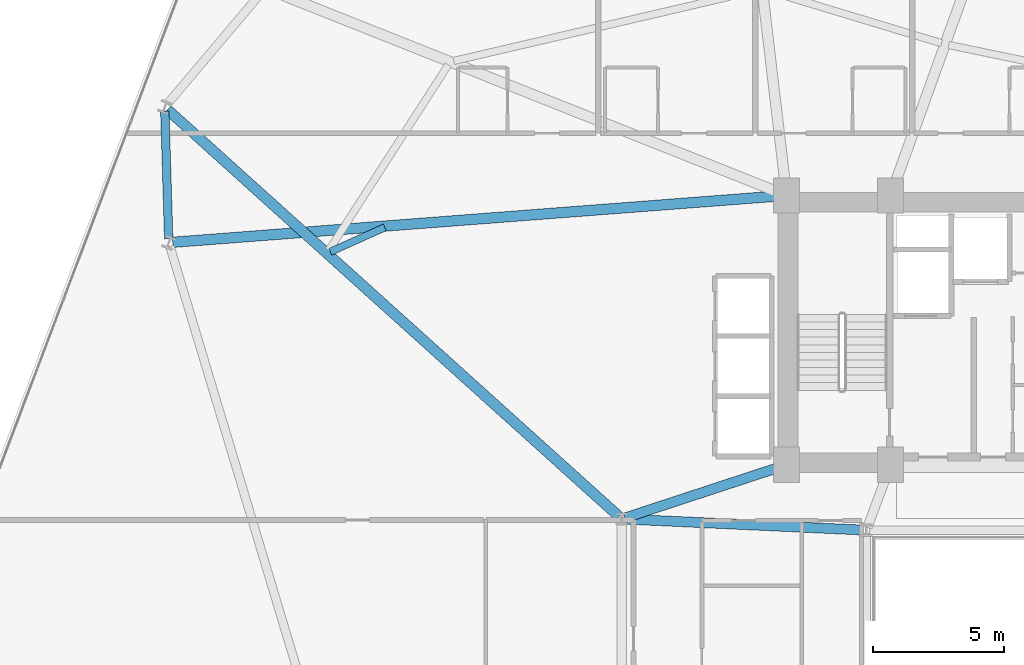
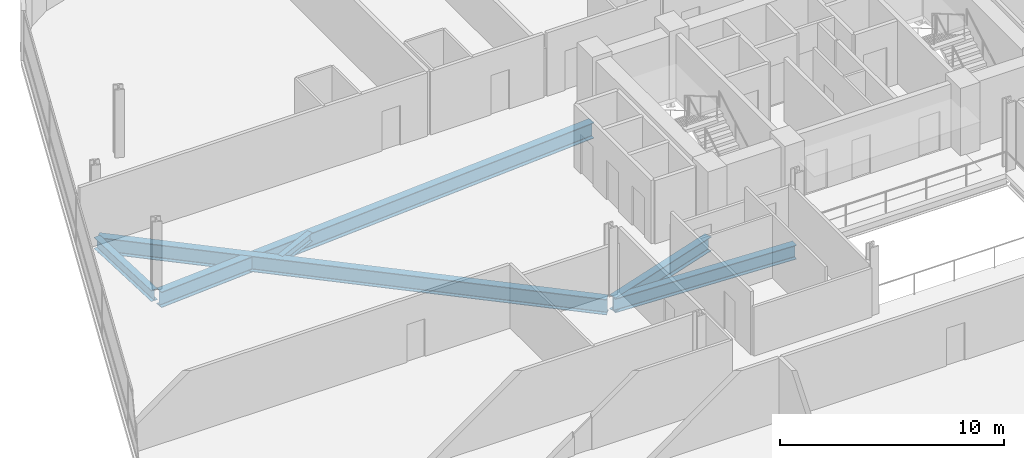
# One storey, part 7 of 25: 6 beams.
"""IFC4 building model written with IfcOpenShell, lengths in metres."""

from ifc_helpers import new_model, si_unit, direction, frame, origin, origin_2d, place, context, subcontext, project, spatial, i_section, extrude, material, material_profile, profile_set, type_object, element, save


model = new_model("IFC4")

# Units and contexts
model_context = context("Model", 3, precision=1e-05, world=origin(), true_north=direction((0.0, 1.0)))
body_context = subcontext(model_context, "Body", "Model", "MODEL_VIEW")
ifc_project = project(units=[si_unit("LENGTHUNIT", "METRE"), si_unit("AREAUNIT", "SQUARE_METRE"), si_unit("VOLUMEUNIT", "CUBIC_METRE"), si_unit("PLANEANGLEUNIT", "RADIAN"), si_unit("MASSUNIT", "GRAM", prefix="KILO")], contexts=[model_context])

# Site, building, storey
site_placement = place(None, origin())
site = spatial("IfcSite", under=ifc_project, at=site_placement, CompositionType="ELEMENT")
building_placement = place(site_placement, origin())
building = spatial("IfcBuilding", under=site, at=building_placement, Name="Varnelok Gate Tower", CompositionType="ELEMENT")
storey_placement = place(building_placement, frame((0.0, 0.0, 91.0)))
storey = spatial("IfcBuildingStorey", under=building, at=storey_placement, Name="L22", CompositionType="ELEMENT", Elevation=91.0)

# Beams
ifc_material = material(Name="Structural Steel ASTM A992 Grade 50", Category="steel")
ifc_material_profile_1 = material_profile(ifc_material, i_section(OverallWidth=0.280029296875, OverallDepth=0.462890625, WebThickness=0.0107421875, FlangeThickness=0.017333984375, FilletRadius=0.014892578125, at=origin_2d()), Name="W18X76")
ifc_profile_set_1 = profile_set([ifc_material_profile_1], Name="Structural Steel ASTM A992 Grade 50")
beam_type_1 = type_object("IfcBeamType", Name="BM-JST-W18X76", PredefinedType="JOIST", material=ifc_profile_set_1)
beam_1_placement = place(storey_placement, frame((13.25537109375, 36.894287109375, -0.4814453125), z_axis=(0.912301338423, 0.409519557423, 0.0), x_axis=(-0.409519557423, 0.912301338423, 0.0)))
element("IfcBeam", 1, at=beam_1_placement, inside=storey, type_object=beam_type_1, Name="L22 Sector Floor Joist 13", PredefinedType="JOIST", context=body_context, shape_type="SweptSolid", body=[
    extrude(i_section(OverallWidth=0.280029296875, OverallDepth=0.462890625, WebThickness=0.0107421875, FlangeThickness=0.017333984375, FilletRadius=0.014892578125, at=origin_2d()), origin(), (0.0, 0.0, 1.0), 2.28271484375),
])
ifc_material_profile_2 = material_profile(ifc_material, i_section(OverallWidth=0.381103515625, OverallDepth=0.77294921875, WebThickness=0.0166015625, FlangeThickness=0.027099609375, FilletRadius=0.02197265625, at=origin_2d()), Name="W30X173")
ifc_profile_set_2 = profile_set([ifc_material_profile_2], Name="Structural Steel ASTM A992 Grade 50")
beam_type_2 = type_object("IfcBeamType", Name="BM-PRI-W30X173", PredefinedType="BEAM", material=ifc_profile_set_2)
beam_2_placement = place(storey_placement, frame((24.52001953125, 26.674560546875, -0.636474609375), z_axis=(0.99894427814, -0.045938319209, 0.0), x_axis=(0.045938319209, 0.99894427814, 0.0)))
element("IfcBeam", 2, at=beam_2_placement, inside=storey, type_object=beam_type_2, Name="L22 Core-Atrium Spine Beam 15", PredefinedType="BEAM", context=body_context, shape_type="SweptSolid", body=[
    extrude(i_section(OverallWidth=0.381103515625, OverallDepth=0.77294921875, WebThickness=0.0166015625, FlangeThickness=0.027099609375, FilletRadius=0.02197265625, at=origin_2d()), origin(), (0.0, 0.0, 1.0), 9.11962890625),
])
beam_3_placement = place(storey_placement, frame((24.513916015625, 26.717529296875, -0.636474609375), z_axis=(0.950041943788, 0.312122259768, 0.0), x_axis=(-0.312122259768, 0.950041943788, 0.0)))
element("IfcBeam", 3, at=beam_3_placement, inside=storey, type_object=beam_type_2, Name="L22 Core-Atrium Spine Beam 17", PredefinedType="BEAM", context=body_context, shape_type="SweptSolid", body=[
    extrude(i_section(OverallWidth=0.381103515625, OverallDepth=0.77294921875, WebThickness=0.0166015625, FlangeThickness=0.027099609375, FilletRadius=0.02197265625, at=origin_2d()), origin(), (0.0, 0.0, 1.0), 6.391357421875),
])
ifc_material_profile_3 = material_profile(ifc_material, i_section(OverallWidth=0.39892578125, OverallDepth=0.85498046875, WebThickness=0.018310546875, FlangeThickness=0.029296875, FilletRadius=0.02392578125, at=origin_2d()), Name="W33X201")
ifc_profile_set_3 = profile_set([ifc_material_profile_3], Name="Structural Steel ASTM A992 Grade 50")
beam_type_3 = type_object("IfcBeamType", Name="BM-PRI-W33X201", PredefinedType="BEAM", material=ifc_profile_set_3)
beam_4_placement = place(storey_placement, frame((24.28857421875, 26.780517578125, -0.677490234375), z_axis=(-0.742906696972, 0.669394980258, 0.0), x_axis=(-0.669394980258, -0.742906696972, 0.0)))
element("IfcBeam", 4, at=beam_4_placement, inside=storey, type_object=beam_type_3, Name="L22 Radial Floor Girder 15", PredefinedType="BEAM", context=body_context, shape_type="SweptSolid", body=[
    extrude(i_section(OverallWidth=0.39892578125, OverallDepth=0.85498046875, WebThickness=0.018310546875, FlangeThickness=0.029296875, FilletRadius=0.02392578125, at=origin_2d()), origin(), (0.0, 0.0, 1.0), 23.224609375),
])
beam_5_placement = place(storey_placement, frame((30.55029296875, 39.03857421875, -0.677490234375), z_axis=(-0.997095422745, -0.076162444427, 0.0), x_axis=(0.076162444427, -0.997095422745, 0.0)))
element("IfcBeam", 5, at=beam_5_placement, inside=storey, type_object=beam_type_3, Name="L22 Radial Floor Girder 16", PredefinedType="BEAM", context=body_context, shape_type="SweptSolid", body=[
    extrude(i_section(OverallWidth=0.39892578125, OverallDepth=0.85498046875, WebThickness=0.018310546875, FlangeThickness=0.029296875, FilletRadius=0.02392578125, at=origin_2d()), origin(), (0.0, 0.0, 1.0), 23.387451171875),
])
ifc_material_profile_4 = material_profile(ifc_material, i_section(OverallWidth=0.323974609375, OverallDepth=0.611083984375, WebThickness=0.0126953125, FlangeThickness=0.01904296875, FilletRadius=0.01806640625, at=origin_2d()), Name="W24X104")
ifc_profile_set_4 = profile_set([ifc_material_profile_4], Name="Structural Steel ASTM A992 Grade 50")
beam_type_4 = type_object("IfcBeamType", Name="BM-SPN-W24X104", PredefinedType="SPANDREL", material=ifc_profile_set_4)
beam_6_placement = place(storey_placement, frame((6.927978515625, 42.277587890625, -0.555419921875), z_axis=(0.030393553869, -0.999538009224, 0.0), x_axis=(0.999538009224, 0.030393553869, 0.0)))
element("IfcBeam", 6, at=beam_6_placement, inside=storey, type_object=beam_type_4, Name="L22 Perimeter Spandrel Beam 15", PredefinedType="SPANDREL", context=body_context, shape_type="SweptSolid", body=[
    extrude(i_section(OverallWidth=0.323974609375, OverallDepth=0.611083984375, WebThickness=0.0126953125, FlangeThickness=0.01904296875, FilletRadius=0.01806640625, at=origin_2d()), origin(), (0.0, 0.0, 1.0), 4.8837890625),
])

save(model, "model.ifc")
